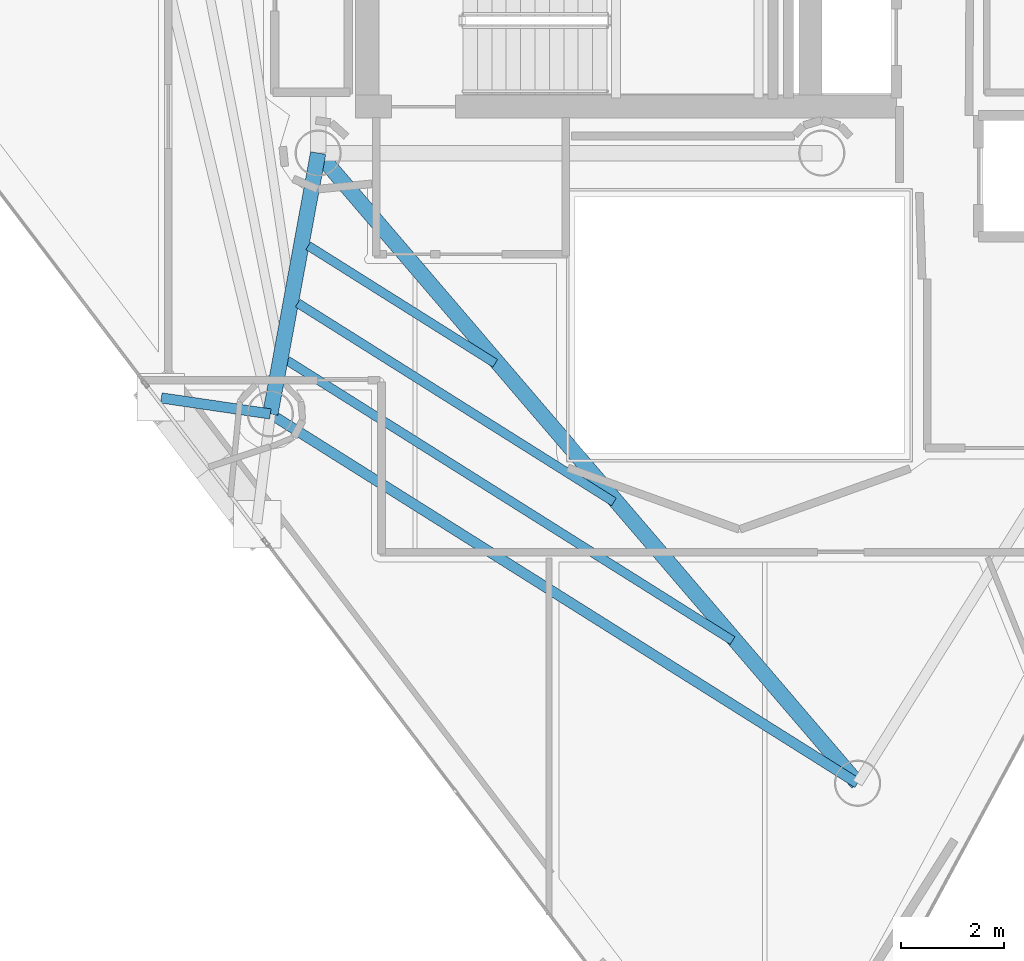
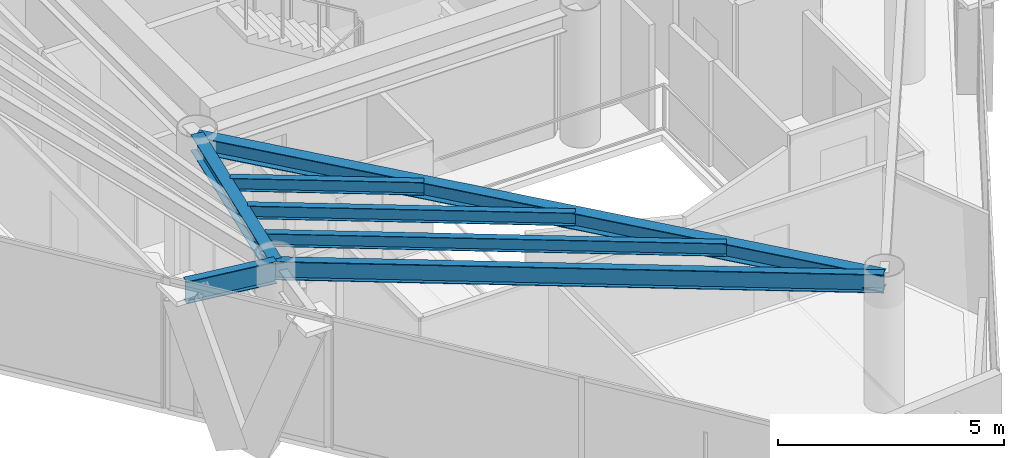
# One storey, part 4 of 24: 7 beams.
"""IFC4 building model written with IfcOpenShell, lengths in metres."""

from ifc_helpers import new_model, si_unit, direction, frame, origin, origin_2d, place, context, subcontext, project, spatial, i_section, extrude, material, material_profile, profile_set, type_object, element, save


model = new_model("IFC4")

# Units and contexts
model_context = context("Model", 3, precision=1e-05, world=origin(), true_north=direction((0.0, 1.0)))
body_context = subcontext(model_context, "Body", "Model", "MODEL_VIEW")
ifc_project = project(units=[si_unit("LENGTHUNIT", "METRE"), si_unit("AREAUNIT", "SQUARE_METRE"), si_unit("VOLUMEUNIT", "CUBIC_METRE"), si_unit("PLANEANGLEUNIT", "RADIAN"), si_unit("MASSUNIT", "GRAM", prefix="KILO")], contexts=[model_context])

# Site, building, storey
site_placement = place(None, origin())
site = spatial("IfcSite", under=ifc_project, at=site_placement, CompositionType="ELEMENT")
building_placement = place(site_placement, origin())
building = spatial("IfcBuilding", under=site, at=building_placement, Name="Qianvela Tower", CompositionType="ELEMENT")
storey_placement = place(building_placement, frame((0.0, 0.0, 306.5)))
storey = spatial("IfcBuildingStorey", under=building, at=storey_placement, Name="L79", CompositionType="ELEMENT", Elevation=306.5)

# Beams
ifc_material_1 = material(Name="Steel Q355B", Category="steel")
ifc_material_profile_1 = material_profile(ifc_material_1, i_section(OverallWidth=0.300048828125, OverallDepth=0.43994140625, WebThickness=0.010986328125, FlangeThickness=0.01806640625, at=origin_2d()), Name="HM440x300x11x18")
ifc_profile_set_1 = profile_set([ifc_material_profile_1], Name="Steel Q355B")
beam_type_1 = type_object("IfcBeamType", Name="BM-HM440-COLL", PredefinedType="BEAM", material=ifc_profile_set_1)
beam_1_placement = place(storey_placement, frame((28.60009765625, 23.85009765625, 3.298095703125), z_axis=(-0.180242432023, -0.983622216961, 0.0), x_axis=(0.983622216961, -0.180242432023, 0.0)))
element("IfcBeam", 1, at=beam_1_placement, inside=storey, type_object=beam_type_1, Name="L79 Radial Primary Floor Girder 4", PredefinedType="BEAM", context=body_context, shape_type="SweptSolid", body=[
    extrude(i_section(OverallWidth=0.300048828125, OverallDepth=0.43994140625, WebThickness=0.010986328125, FlangeThickness=0.01806640625, at=origin_2d()), origin(), (0.0, 0.0, 1.0), 5.16064453125),
])
beam_2_placement = place(storey_placement, frame((28.60009765625, 23.85009765625, 3.298095703125), z_axis=(0.650269293807, -0.75970378802, 0.0), x_axis=(0.75970378802, 0.650269293807, 0.0)))
element("IfcBeam", 2, at=beam_2_placement, inside=storey, type_object=beam_type_1, Name="L79 Radial Primary Floor Girder 5", PredefinedType="BEAM", context=body_context, shape_type="SweptSolid", body=[
    extrude(i_section(OverallWidth=0.300048828125, OverallDepth=0.43994140625, WebThickness=0.010986328125, FlangeThickness=0.01806640625, at=origin_2d()), origin(), (0.0, 0.0, 1.0), 16.140869140625),
])
ifc_material_2 = material(Name="Steel Q355B", Category="steel")
ifc_material_profile_2 = material_profile(ifc_material_2, i_section(OverallWidth=0.175048828125, OverallDepth=0.35009765625, WebThickness=0.007080078125, FlangeThickness=0.010986328125, at=origin_2d()), Name="HN350x175x7x11")
ifc_profile_set_2 = profile_set([ifc_material_profile_2], Name="Steel Q355B")
beam_type_2 = type_object("IfcBeamType", Name="BM-HN350-JOIST", PredefinedType="JOIST", material=ifc_profile_set_2)
beam_3_placement = place(storey_placement, frame((28.407470703125, 22.04638671875, 3.343017578125), z_axis=(0.846501223135, -0.532386775973, 0.0), x_axis=(0.532386775973, 0.846501223135, 0.0)))
element("IfcBeam", 3, at=beam_3_placement, inside=storey, type_object=beam_type_2, Name="L79 Secondary Composite Floor Joist 4.1", PredefinedType="JOIST", context=body_context, shape_type="SweptSolid", body=[
    extrude(i_section(OverallWidth=0.175048828125, OverallDepth=0.35009765625, WebThickness=0.007080078125, FlangeThickness=0.010986328125, at=origin_2d()), origin(), (0.0, 0.0, 1.0), 4.29736328125),
])
beam_4_placement = place(storey_placement, frame((28.202880859375, 20.9296875, 3.343017578125), z_axis=(0.846507641225, -0.532376570998, 0.0), x_axis=(0.532376570998, 0.846507641225, 0.0)))
element("IfcBeam", 4, at=beam_4_placement, inside=storey, type_object=beam_type_2, Name="L79 Secondary Composite Floor Joist 4.2", PredefinedType="JOIST", context=body_context, shape_type="SweptSolid", body=[
    extrude(i_section(OverallWidth=0.175048828125, OverallDepth=0.35009765625, WebThickness=0.007080078125, FlangeThickness=0.010986328125, at=origin_2d()), origin(), (0.0, 0.0, 1.0), 7.266845703125),
])
beam_5_placement = place(storey_placement, frame((27.998291015625, 19.81298828125, 3.343017578125), z_axis=(0.846499587038, -0.532389377377, 0.0), x_axis=(0.532389377377, 0.846499587038, 0.0)))
element("IfcBeam", 5, at=beam_5_placement, inside=storey, type_object=beam_type_2, Name="L79 Secondary Composite Floor Joist 4.3", PredefinedType="JOIST", context=body_context, shape_type="SweptSolid", body=[
    extrude(i_section(OverallWidth=0.175048828125, OverallDepth=0.35009765625, WebThickness=0.007080078125, FlangeThickness=0.010986328125, at=origin_2d()), origin(), (0.0, 0.0, 1.0), 10.236328125),
])
ifc_material_3 = material(Name="Steel Q355B", Category="steel")
ifc_material_profile_3 = material_profile(ifc_material_3, i_section(OverallWidth=0.199951171875, OverallDepth=0.5, WebThickness=0.010009765625, FlangeThickness=0.01611328125, at=origin_2d()), Name="HN500x200x10x16")
ifc_profile_set_3 = profile_set([ifc_material_profile_3], Name="Steel Q355B")
beam_type_3 = type_object("IfcBeamType", Name="BM-HN500-GIRD", PredefinedType="BEAM", material=ifc_profile_set_3)
beam_6_placement = place(storey_placement, frame((27.669921875, 18.77392578125, 3.26806640625), z_axis=(0.846504270846, -0.532381930046, 0.0), x_axis=(0.532381930046, 0.846504270846, 0.0)))
element("IfcBeam", 6, at=beam_6_placement, inside=storey, type_object=beam_type_3, Name="L79 Perimeter Ring Spandrel Girder 4", PredefinedType="BEAM", context=body_context, shape_type="SweptSolid", body=[
    extrude(i_section(OverallWidth=0.199951171875, OverallDepth=0.5, WebThickness=0.010009765625, FlangeThickness=0.01611328125, at=origin_2d()), origin(), (0.0, 0.0, 1.0), 13.497802734375),
])
ifc_material_4 = material(Name="Steel Q355B", Category="steel")
ifc_material_profile_4 = material_profile(ifc_material_4, i_section(OverallWidth=0.199951171875, OverallDepth=0.60009765625, WebThickness=0.010986328125, FlangeThickness=0.01708984375, at=origin_2d()), Name="HN600x200x11x17")
ifc_profile_set_4 = profile_set([ifc_material_profile_4], Name="Steel Q355B")
beam_type_4 = type_object("IfcBeamType", Name="BM-HN600-GIRD", PredefinedType="BEAM", material=ifc_profile_set_4)
beam_7_placement = place(storey_placement, frame((27.669921875, 18.77392578125, 3.218017578125), z_axis=(-0.989407284218, 0.145166201079, 0.0), x_axis=(-0.145166201079, -0.989407284218, 0.0)))
element("IfcBeam", 7, at=beam_7_placement, inside=storey, type_object=beam_type_4, Name="L79 Mega-Brace Column Tie Bracket F2-1", PredefinedType="BEAM", context=body_context, shape_type="SweptSolid", body=[
    extrude(i_section(OverallWidth=0.199951171875, OverallDepth=0.60009765625, WebThickness=0.010986328125, FlangeThickness=0.01708984375, at=origin_2d()), origin(), (0.0, 0.0, 1.0), 2.144287109375),
])

save(model, "model.ifc")
